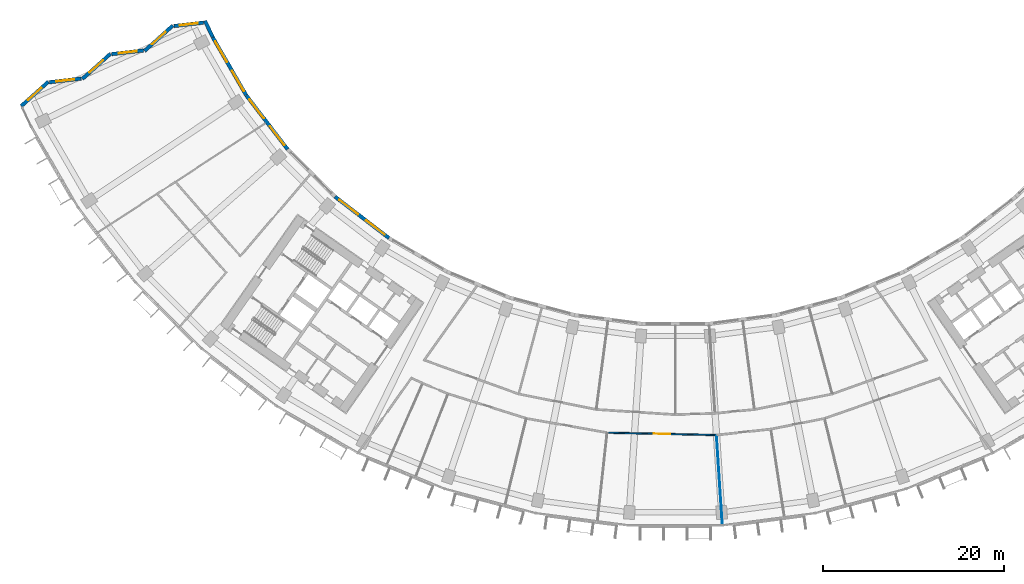
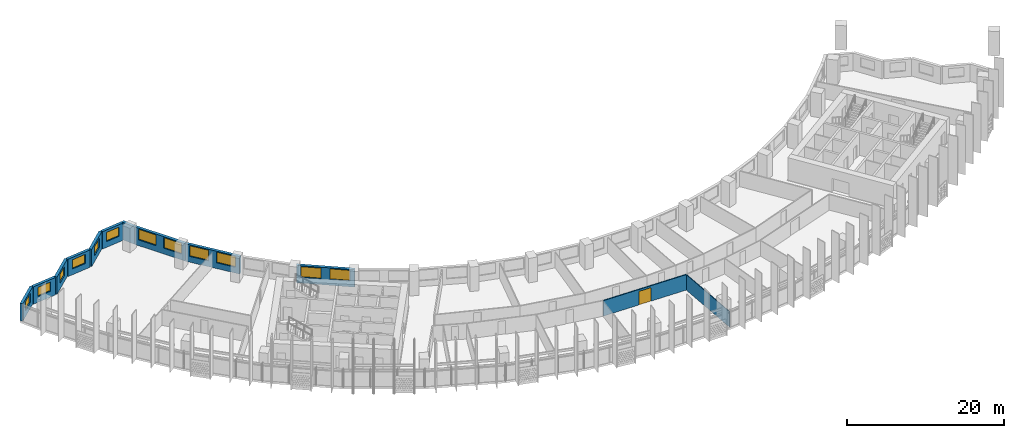
# One storey, part 5 of 30: 12 walls, 12 windows, 1 door, 13 openings.
"""IFC4 building model written with IfcOpenShell, lengths in metres."""

from ifc_helpers import new_model, si_unit, direction, frame, frame_2d, origin, place, context, subcontext, project, spatial, rectangle, extrude, material, layer, layer_set, type_object, element, fill, save


model = new_model("IFC4")

# Units and contexts
model_context = context("Model", 3, precision=1e-05, world=origin(), true_north=direction((0.0, 1.0)))
body_context = subcontext(model_context, "Body", "Model", "MODEL_VIEW")
ifc_project = project(units=[si_unit("LENGTHUNIT", "METRE"), si_unit("AREAUNIT", "SQUARE_METRE"), si_unit("VOLUMEUNIT", "CUBIC_METRE"), si_unit("PLANEANGLEUNIT", "RADIAN"), si_unit("MASSUNIT", "GRAM", prefix="KILO")], contexts=[model_context])

# Site, building, storey
site_placement = place(None, origin())
site = spatial("IfcSite", under=ifc_project, at=site_placement, CompositionType="ELEMENT")
building_placement = place(site_placement, origin())
building = spatial("IfcBuilding", under=site, at=building_placement, Name="Qamariyya Broadcast Tower", CompositionType="ELEMENT")
storey_placement = place(building_placement, frame((0.0, 0.0, 117.699951171875)))
storey = spatial("IfcBuildingStorey", under=building, at=storey_placement, Name="L26", CompositionType="ELEMENT", Elevation=117.699951171875)

# Wall, opening, door
ifc_material_1 = material(Name="Gypsum board partition")
ifc_layer_1 = layer(ifc_material_1, 0.14990234375)
ifc_layer_set_1 = layer_set([ifc_layer_1], Name="Corridor partition 150 EI 60")
wall_type_1 = type_object("IfcWallType", Name="Corridor partition 150 EI 60", PredefinedType="PARTITIONING", material=ifc_layer_set_1)
wall_1_placement = place(storey_placement, frame((4.52587890625, -69.0517578125, 0.0), z_axis=(0.0, 0.0, 1.0), x_axis=(-0.999762313962, 0.02180173346, 0.0)))
wall_1 = element("IfcWall", 1, at=wall_1_placement, inside=storey, type_object=wall_type_1, Name="Partition L26-022", PredefinedType="PARTITIONING", context=body_context, shape_type="SweptSolid", body=[
    extrude(rectangle(XDim=12.060546875, YDim=0.14990234375, at=frame_2d((6.0302734375, 0.0))), origin(), (0.0, 0.0, 1.0), 2.400146484375),
])
opening_1_placement = place(wall_1_placement, frame((5.130126953125, 0.0, 0.0)))
opening_1 = element("IfcOpeningElement", 2, at=opening_1_placement, cuts=wall_1, Name="Opening L26-D05", PredefinedType="OPENING", context=body_context, shape_type="SweptSolid", body=[
    extrude(rectangle(XDim=1.800048828125, YDim=2.10009765625, at=frame_2d((0.89990234375, 1.050048828125))), frame((0.0, 0.0849609375, 0.0), z_axis=(0.0, -1.0, 0.0), x_axis=(1.0, 0.0, 0.0)), (0.0, 0.0, 1.0), 0.169921875),
])
ifc_material_2 = material(Name="Timber fire door leaf", Category="wood")
door_type = type_object("IfcDoorType", Name="Double fire door 1800 x 2100 FD60", OperationType="NOTDEFINED", PredefinedType="DOOR", material=ifc_material_2)
door_placement = place(opening_1_placement, origin())
door = element("IfcDoor", 3, at=door_placement, inside=storey, type_object=door_type, Name="Door L26-D05", OperationType="DOUBLE_DOOR_SINGLE_SWING", OverallHeight=2.10009765625, OverallWidth=1.800048828125, PredefinedType="DOOR", context=body_context, shape_type="SweptSolid", body=[
    extrude(rectangle(XDim=1.800048828125, YDim=2.10009765625, at=frame_2d((0.89990234375, 1.050048828125))), frame((0.0, 0.02490234375, 0.0), z_axis=(0.0, -1.0, 0.0), x_axis=(1.0, 0.0, 0.0)), (0.0, 0.0, 1.0), 0.050048828125),
])
fill(opening_1, door)

# Wall
ifc_layer_2 = layer(ifc_material_1, 0.10009765625)
ifc_layer_set_2 = layer_set([ifc_layer_2], Name="Partition 100")
wall_type_2 = type_object("IfcWallType", Name="Partition 100", PredefinedType="PARTITIONING", material=ifc_layer_set_2)
wall_2_placement = place(storey_placement, frame((5.17333984375, -78.9306640625, 0.0), z_axis=(0.0, 0.0, 1.0), x_axis=(-0.065402415744, 0.997858970003, 0.0)))
element("IfcWall", 4, at=wall_2_placement, inside=storey, type_object=wall_type_2, Name="Partition L26-029", PredefinedType="PARTITIONING", context=body_context, shape_type="SweptSolid", body=[
    extrude(rectangle(XDim=9.824951171875, YDim=0.10009765625, at=frame_2d((4.91259765625, 0.0))), origin(), (0.0, 0.0, 1.0), 2.400146484375),
])

# Wall, opening, window
ifc_material_3 = material(Name="Terracotta", Category="masonry")
ifc_layer_3 = layer(ifc_material_3, 0.39990234375)
ifc_layer_set_3 = layer_set([ifc_layer_3], Name="Terracotta clad wall 400")
wall_type_3 = type_object("IfcWallType", Name="Terracotta clad wall 400", PredefinedType="SOLIDWALL", material=ifc_layer_set_3)
wall_3_placement = place(storey_placement, frame((-52.048095703125, -23.569091796875, 0.0), z_axis=(0.0, 0.0, 1.0), x_axis=(-0.993433070423, -0.114414748132, 0.0)))
wall_3 = element("IfcWall", 5, at=wall_3_placement, inside=storey, type_object=wall_type_3, Name="e-wl-L26-capW0", PredefinedType="SOLIDWALL", context=body_context, shape_type="SweptSolid", body=[
    extrude(rectangle(XDim=3.275390625, YDim=0.39990234375, at=frame_2d((1.6376953125, 0.0))), origin(), (0.0, 0.0, 1.0), 2.699951171875),
])
opening_2_placement = place(wall_3_placement, frame((0.6376953125, 0.0, 0.89990234375)))
opening_2 = element("IfcOpeningElement", 6, at=opening_2_placement, cuts=wall_3, Name="Opening W4", PredefinedType="OPENING", context=body_context, shape_type="SweptSolid", body=[
    extrude(rectangle(XDim=2.0, YDim=1.425048828125, at=frame_2d((1.0, 0.71240234375))), frame((0.0, 0.2099609375, 0.0), z_axis=(0.0, -1.0, 0.0), x_axis=(1.0, 0.0, 0.0)), (0.0, 0.0, 1.0), 0.419921875),
])
ifc_material_4 = material(Name="Clear low-e double glazed unit in aluminium frame", Category="aluminium")
window_type_1 = type_object("IfcWindowType", Name="Horn bay window 2000 x 1425", PartitioningType="SINGLE_PANEL", PredefinedType="WINDOW", material=ifc_material_4)
window_1_placement = place(opening_2_placement, origin())
window_1 = element("IfcWindow", 7, at=window_1_placement, inside=storey, type_object=window_type_1, Name="e-w-L26-capW0", OverallHeight=1.425048828125, OverallWidth=2.0, PartitioningType="SINGLE_PANEL", PredefinedType="WINDOW", context=body_context, shape_type="SweptSolid", body=[
    extrude(rectangle(XDim=2.0, YDim=1.425048828125, at=frame_2d((1.0, 0.71240234375))), frame((0.0, 0.030029296875, 0.0), z_axis=(0.0, -1.0, 0.0), x_axis=(1.0, 0.0, 0.0)), (0.0, 0.0, 1.0), 0.06005859375),
])
fill(opening_2, window_1)

wall_4_placement = place(storey_placement, frame((-55.424072265625, -23.890869140625, 0.0), z_axis=(0.0, 0.0, 1.0), x_axis=(-0.744202221748, -0.667954379539, 0.0)))
wall_4 = element("IfcWall", 8, at=wall_4_placement, inside=storey, type_object=wall_type_3, Name="e-wl-L26-capW1", PredefinedType="SOLIDWALL", context=body_context, shape_type="SweptSolid", body=[
    extrude(rectangle(XDim=4.194580078125, YDim=0.39990234375, at=frame_2d((2.09716796875, 0.0))), origin(), (0.0, 0.0, 1.0), 2.699951171875),
])
opening_3_placement = place(wall_4_placement, frame((1.09716796875, 0.0, 0.89990234375)))
opening_3 = element("IfcOpeningElement", 9, at=opening_3_placement, cuts=wall_4, Name="Opening W4", PredefinedType="OPENING", context=body_context, shape_type="SweptSolid", body=[
    extrude(rectangle(XDim=2.0, YDim=1.425048828125, at=frame_2d((1.0, 0.71240234375))), frame((0.0, 0.2099609375, 0.0), z_axis=(0.0, -1.0, 0.0), x_axis=(1.0, 0.0, 0.0)), (0.0, 0.0, 1.0), 0.419921875),
])
window_2_placement = place(opening_3_placement, origin())
window_2 = element("IfcWindow", 10, at=window_2_placement, inside=storey, type_object=window_type_1, Name="e-w-L26-capW1", OverallHeight=1.425048828125, OverallWidth=2.0, PartitioningType="SINGLE_PANEL", PredefinedType="WINDOW", context=body_context, shape_type="SweptSolid", body=[
    extrude(rectangle(XDim=2.0, YDim=1.425048828125, at=frame_2d((1.0, 0.71240234375))), frame((0.0, 0.030029296875, 0.0), z_axis=(0.0, -1.0, 0.0), x_axis=(1.0, 0.0, 0.0)), (0.0, 0.0, 1.0), 0.06005859375),
])
fill(opening_3, window_2)

wall_5_placement = place(storey_placement, frame((-58.66796875, -26.639892578125, 0.0), z_axis=(0.0, 0.0, 1.0), x_axis=(-0.993423489037, -0.114497910151, 0.0)))
wall_5 = element("IfcWall", 11, at=wall_5_placement, inside=storey, type_object=wall_type_3, Name="e-wl-L26-capW2", PredefinedType="SOLIDWALL", context=body_context, shape_type="SweptSolid", body=[
    extrude(rectangle(XDim=3.524658203125, YDim=0.39990234375, at=frame_2d((1.76220703125, 0.0))), origin(), (0.0, 0.0, 1.0), 2.699951171875),
])
opening_4_placement = place(wall_5_placement, frame((0.762451171875, 0.0, 0.89990234375)))
opening_4 = element("IfcOpeningElement", 12, at=opening_4_placement, cuts=wall_5, Name="Opening W4", PredefinedType="OPENING", context=body_context, shape_type="SweptSolid", body=[
    extrude(rectangle(XDim=2.0, YDim=1.425048828125, at=frame_2d((1.0, 0.71240234375))), frame((0.0, 0.2099609375, 0.0), z_axis=(0.0, -1.0, 0.0), x_axis=(1.0, 0.0, 0.0)), (0.0, 0.0, 1.0), 0.419921875),
])
window_3_placement = place(opening_4_placement, origin())
window_3 = element("IfcWindow", 13, at=window_3_placement, inside=storey, type_object=window_type_1, Name="e-w-L26-capW2", OverallHeight=1.425048828125, OverallWidth=2.0, PartitioningType="SINGLE_PANEL", PredefinedType="WINDOW", context=body_context, shape_type="SweptSolid", body=[
    extrude(rectangle(XDim=2.0, YDim=1.425048828125, at=frame_2d((1.0, 0.71240234375))), frame((0.0, 0.030029296875, 0.0), z_axis=(0.0, -1.0, 0.0), x_axis=(1.0, 0.0, 0.0)), (0.0, 0.0, 1.0), 0.06005859375),
])
fill(opening_4, window_3)

wall_6_placement = place(storey_placement, frame((-62.291748046875, -26.990478515625, 0.0), z_axis=(0.0, 0.0, 1.0), x_axis=(-0.744130218911, -0.668034592894, 0.0)))
wall_6 = element("IfcWall", 14, at=wall_6_placement, inside=storey, type_object=wall_type_3, Name="e-wl-L26-capW3", PredefinedType="SOLIDWALL", context=body_context, shape_type="SweptSolid", body=[
    extrude(rectangle(XDim=4.193359375, YDim=0.39990234375, at=frame_2d((2.0966796875, 0.0))), origin(), (0.0, 0.0, 1.0), 2.699951171875),
])
opening_5_placement = place(wall_6_placement, frame((1.0966796875, 0.0, 0.89990234375)))
opening_5 = element("IfcOpeningElement", 15, at=opening_5_placement, cuts=wall_6, Name="Opening W4", PredefinedType="OPENING", context=body_context, shape_type="SweptSolid", body=[
    extrude(rectangle(XDim=2.0, YDim=1.425048828125, at=frame_2d((1.0, 0.71240234375))), frame((0.0, 0.2099609375, 0.0), z_axis=(0.0, -1.0, 0.0), x_axis=(1.0, 0.0, 0.0)), (0.0, 0.0, 1.0), 0.419921875),
])
window_4_placement = place(opening_5_placement, origin())
window_4 = element("IfcWindow", 16, at=window_4_placement, inside=storey, type_object=window_type_1, Name="e-w-L26-capW3", OverallHeight=1.425048828125, OverallWidth=2.0, PartitioningType="SINGLE_PANEL", PredefinedType="WINDOW", context=body_context, shape_type="SweptSolid", body=[
    extrude(rectangle(XDim=2.0, YDim=1.425048828125, at=frame_2d((1.0, 0.71240234375))), frame((0.0, 0.030029296875, 0.0), z_axis=(0.0, -1.0, 0.0), x_axis=(1.0, 0.0, 0.0)), (0.0, 0.0, 1.0), 0.06005859375),
])
fill(opening_5, window_4)

wall_7_placement = place(storey_placement, frame((-65.5341796875, -29.73876953125, 0.0), z_axis=(0.0, 0.0, 1.0), x_axis=(-0.993412271187, -0.114595198217, 0.0)))
wall_7 = element("IfcWall", 17, at=wall_7_placement, inside=storey, type_object=wall_type_3, Name="e-wl-L26-capW4", PredefinedType="SOLIDWALL", context=body_context, shape_type="SweptSolid", body=[
    extrude(rectangle(XDim=3.52587890625, YDim=0.39990234375, at=frame_2d((1.762939453125, 0.0))), origin(), (0.0, 0.0, 1.0), 2.699951171875),
])
opening_6_placement = place(wall_7_placement, frame((0.762939453125, 0.0, 0.89990234375)))
opening_6 = element("IfcOpeningElement", 18, at=opening_6_placement, cuts=wall_7, Name="Opening W4", PredefinedType="OPENING", context=body_context, shape_type="SweptSolid", body=[
    extrude(rectangle(XDim=2.0, YDim=1.425048828125, at=frame_2d((1.0, 0.71240234375))), frame((0.0, 0.2099609375, 0.0), z_axis=(0.0, -1.0, 0.0), x_axis=(1.0, 0.0, 0.0)), (0.0, 0.0, 1.0), 0.419921875),
])
window_5_placement = place(opening_6_placement, origin())
window_5 = element("IfcWindow", 19, at=window_5_placement, inside=storey, type_object=window_type_1, Name="e-w-L26-capW4", OverallHeight=1.425048828125, OverallWidth=2.0, PartitioningType="SINGLE_PANEL", PredefinedType="WINDOW", context=body_context, shape_type="SweptSolid", body=[
    extrude(rectangle(XDim=2.0, YDim=1.425048828125, at=frame_2d((1.0, 0.71240234375))), frame((0.0, 0.030029296875, 0.0), z_axis=(0.0, -1.0, 0.0), x_axis=(1.0, 0.0, 0.0)), (0.0, 0.0, 1.0), 0.06005859375),
])
fill(opening_6, window_5)

wall_8_placement = place(storey_placement, frame((-69.158935546875, -30.090087890625, 0.0), z_axis=(0.0, 0.0, 1.0), x_axis=(-0.744101163547, -0.66806695653, 0.0)))
wall_8 = element("IfcWall", 20, at=wall_8_placement, inside=storey, type_object=wall_type_3, Name="e-wl-L26-capW5", PredefinedType="SOLIDWALL", context=body_context, shape_type="SweptSolid", body=[
    extrude(rectangle(XDim=4.013671875, YDim=0.39990234375, at=frame_2d((2.0068359375, 0.0))), origin(), (0.0, 0.0, 1.0), 2.699951171875),
])
opening_7_placement = place(wall_8_placement, frame((1.0068359375, 0.0, 0.89990234375)))
opening_7 = element("IfcOpeningElement", 21, at=opening_7_placement, cuts=wall_8, Name="Opening W4", PredefinedType="OPENING", context=body_context, shape_type="SweptSolid", body=[
    extrude(rectangle(XDim=2.0, YDim=1.425048828125, at=frame_2d((1.0, 0.71240234375))), frame((0.0, 0.2099609375, 0.0), z_axis=(0.0, -1.0, 0.0), x_axis=(1.0, 0.0, 0.0)), (0.0, 0.0, 1.0), 0.419921875),
])
window_6_placement = place(opening_7_placement, origin())
window_6 = element("IfcWindow", 22, at=window_6_placement, inside=storey, type_object=window_type_1, Name="e-w-L26-capW5", OverallHeight=1.425048828125, OverallWidth=2.0, PartitioningType="SINGLE_PANEL", PredefinedType="WINDOW", context=body_context, shape_type="SweptSolid", body=[
    extrude(rectangle(XDim=2.0, YDim=1.425048828125, at=frame_2d((1.0, 0.71240234375))), frame((0.0, 0.030029296875, 0.0), z_axis=(0.0, -1.0, 0.0), x_axis=(1.0, 0.0, 0.0)), (0.0, 0.0, 1.0), 0.06005859375),
])
fill(opening_7, window_6)

# Wall
wall_9_placement = place(storey_placement, frame((-51.023681640625, -25.18408203125, 0.0), z_axis=(0.0, 0.0, 1.0), x_axis=(-0.426862665896, 0.904316462564, 0.0)))
element("IfcWall", 23, at=wall_9_placement, inside=storey, type_object=wall_type_3, Name="e-wl-L26-in00", PredefinedType="SOLIDWALL", context=body_context, shape_type="SweptSolid", body=[
    extrude(rectangle(XDim=2.007568359375, YDim=0.39990234375, at=frame_2d((1.00390625, 0.0))), origin(), (0.0, 0.0, 1.0), 2.699951171875),
])

# Wall, openings, windows
wall_10_placement = place(storey_placement, frame((-47.33642578125, -31.568359375, 0.0), z_axis=(0.0, 0.0, 1.0), x_axis=(-0.499990592807, 0.866030834962, 0.0)))
wall_10 = element("IfcWall", 24, at=wall_10_placement, inside=storey, type_object=wall_type_3, Name="e-wl-L26-in10", PredefinedType="SOLIDWALL", context=body_context, shape_type="SweptSolid", body=[
    extrude(rectangle(XDim=7.356201171875, YDim=0.39990234375, at=frame_2d((3.67822265625, 0.0))), origin(), (0.0, 0.0, 1.0), 2.699951171875),
])
opening_8_placement = place(wall_10_placement, frame((4.224853515625, 0.0, 0.89990234375)))
opening_8 = element("IfcOpeningElement", 25, at=opening_8_placement, cuts=wall_10, Name="Opening W1", PredefinedType="OPENING", context=body_context, shape_type="SweptSolid", body=[
    extrude(rectangle(XDim=2.60009765625, YDim=1.64990234375, at=frame_2d((1.300048828125, 0.824951171875))), frame((0.0, 0.2099609375, 0.0), z_axis=(0.0, -1.0, 0.0), x_axis=(1.0, 0.0, 0.0)), (0.0, 0.0, 1.0), 0.419921875),
])
opening_9_placement = place(wall_10_placement, frame((0.5166015625, 0.0, 0.89990234375)))
opening_9 = element("IfcOpeningElement", 26, at=opening_9_placement, cuts=wall_10, Name="Opening W1", PredefinedType="OPENING", context=body_context, shape_type="SweptSolid", body=[
    extrude(rectangle(XDim=2.60009765625, YDim=1.64990234375, at=frame_2d((1.300048828125, 0.824951171875))), frame((0.0, 0.2099609375, 0.0), z_axis=(0.0, -1.0, 0.0), x_axis=(1.0, 0.0, 0.0)), (0.0, 0.0, 1.0), 0.419921875),
])
window_type_2 = type_object("IfcWindowType", Name="Ribbon window 2600 x 1650", PartitioningType="SINGLE_PANEL", PredefinedType="WINDOW", material=ifc_material_4)
window_7_placement = place(opening_8_placement, origin())
window_7 = element("IfcWindow", 27, at=window_7_placement, inside=storey, type_object=window_type_2, Name="e-w-L26-in01-0", OverallHeight=1.64990234375, OverallWidth=2.60009765625, PartitioningType="SINGLE_PANEL", PredefinedType="WINDOW", context=body_context, shape_type="SweptSolid", body=[
    extrude(rectangle(XDim=2.60009765625, YDim=1.64990234375, at=frame_2d((1.300048828125, 0.824951171875))), frame((0.0, 0.030029296875, 0.0), z_axis=(0.0, -1.0, 0.0), x_axis=(1.0, 0.0, 0.0)), (0.0, 0.0, 1.0), 0.06005859375),
])
fill(opening_8, window_7)
window_8_placement = place(opening_9_placement, origin())
window_8 = element("IfcWindow", 28, at=window_8_placement, inside=storey, type_object=window_type_2, Name="e-w-L26-in01-1", OverallHeight=1.64990234375, OverallWidth=2.60009765625, PartitioningType="SINGLE_PANEL", PredefinedType="WINDOW", context=body_context, shape_type="SweptSolid", body=[
    extrude(rectangle(XDim=2.60009765625, YDim=1.64990234375, at=frame_2d((1.300048828125, 0.824951171875))), frame((0.0, 0.030029296875, 0.0), z_axis=(0.0, -1.0, 0.0), x_axis=(1.0, 0.0, 0.0)), (0.0, 0.0, 1.0), 0.06005859375),
])
fill(opening_9, window_8)

wall_11_placement = place(storey_placement, frame((-42.764892578125, -37.536865234375, 0.0), z_axis=(0.0, 0.0, 1.0), x_axis=(-0.608748204711, 0.793363487476, 0.0)))
wall_11 = element("IfcWall", 29, at=wall_11_placement, inside=storey, type_object=wall_type_3, Name="e-wl-L26-in20", PredefinedType="SOLIDWALL", context=body_context, shape_type="SweptSolid", body=[
    extrude(rectangle(XDim=7.492919921875, YDim=0.39990234375, at=frame_2d((3.74658203125, 0.0))), origin(), (0.0, 0.0, 1.0), 2.699951171875),
])
opening_10_placement = place(wall_11_placement, frame((4.300537109375, 0.0, 0.89990234375)))
opening_10 = element("IfcOpeningElement", 30, at=opening_10_placement, cuts=wall_11, Name="Opening W1", PredefinedType="OPENING", context=body_context, shape_type="SweptSolid", body=[
    extrude(rectangle(XDim=2.60009765625, YDim=1.64990234375, at=frame_2d((1.300048828125, 0.824951171875))), frame((0.0, 0.2099609375, 0.0), z_axis=(0.0, -1.0, 0.0), x_axis=(1.0, 0.0, 0.0)), (0.0, 0.0, 1.0), 0.419921875),
])
opening_11_placement = place(wall_11_placement, frame((0.59228515625, 0.0, 0.89990234375)))
opening_11 = element("IfcOpeningElement", 31, at=opening_11_placement, cuts=wall_11, Name="Opening W1", PredefinedType="OPENING", context=body_context, shape_type="SweptSolid", body=[
    extrude(rectangle(XDim=2.60009765625, YDim=1.64990234375, at=frame_2d((1.300048828125, 0.824951171875))), frame((0.0, 0.2099609375, 0.0), z_axis=(0.0, -1.0, 0.0), x_axis=(1.0, 0.0, 0.0)), (0.0, 0.0, 1.0), 0.419921875),
])
window_9_placement = place(opening_10_placement, origin())
window_9 = element("IfcWindow", 32, at=window_9_placement, inside=storey, type_object=window_type_2, Name="e-w-L26-in02-0", OverallHeight=1.64990234375, OverallWidth=2.60009765625, PartitioningType="SINGLE_PANEL", PredefinedType="WINDOW", context=body_context, shape_type="SweptSolid", body=[
    extrude(rectangle(XDim=2.60009765625, YDim=1.64990234375, at=frame_2d((1.300048828125, 0.824951171875))), frame((0.0, 0.030029296875, 0.0), z_axis=(0.0, -1.0, 0.0), x_axis=(1.0, 0.0, 0.0)), (0.0, 0.0, 1.0), 0.06005859375),
])
fill(opening_10, window_9)
window_10_placement = place(opening_11_placement, origin())
window_10 = element("IfcWindow", 33, at=window_10_placement, inside=storey, type_object=window_type_2, Name="e-w-L26-in02-1", OverallHeight=1.64990234375, OverallWidth=2.60009765625, PartitioningType="SINGLE_PANEL", PredefinedType="WINDOW", context=body_context, shape_type="SweptSolid", body=[
    extrude(rectangle(XDim=2.60009765625, YDim=1.64990234375, at=frame_2d((1.300048828125, 0.824951171875))), frame((0.0, 0.030029296875, 0.0), z_axis=(0.0, -1.0, 0.0), x_axis=(1.0, 0.0, 0.0)), (0.0, 0.0, 1.0), 0.06005859375),
])
fill(opening_11, window_10)

wall_12_placement = place(storey_placement, frame((-31.59228515625, -47.326171875, 0.0), z_axis=(0.0, 0.0, 1.0), x_axis=(-0.793363487476, 0.608748204711, 0.0)))
wall_12 = element("IfcWall", 34, at=wall_12_placement, inside=storey, type_object=wall_type_3, Name="e-wl-L26-in40", PredefinedType="SOLIDWALL", context=body_context, shape_type="SweptSolid", body=[
    extrude(rectangle(XDim=7.492919921875, YDim=0.39990234375, at=frame_2d((3.74658203125, 0.0))), origin(), (0.0, 0.0, 1.0), 2.699951171875),
])
opening_12_placement = place(wall_12_placement, frame((4.300537109375, 0.0, 0.89990234375)))
opening_12 = element("IfcOpeningElement", 35, at=opening_12_placement, cuts=wall_12, Name="Opening W1", PredefinedType="OPENING", context=body_context, shape_type="SweptSolid", body=[
    extrude(rectangle(XDim=2.60009765625, YDim=1.64990234375, at=frame_2d((1.300048828125, 0.824951171875))), frame((0.0, 0.2099609375, 0.0), z_axis=(0.0, -1.0, 0.0), x_axis=(1.0, 0.0, 0.0)), (0.0, 0.0, 1.0), 0.419921875),
])
opening_13_placement = place(wall_12_placement, frame((0.59228515625, 0.0, 0.89990234375)))
opening_13 = element("IfcOpeningElement", 36, at=opening_13_placement, cuts=wall_12, Name="Opening W1", PredefinedType="OPENING", context=body_context, shape_type="SweptSolid", body=[
    extrude(rectangle(XDim=2.60009765625, YDim=1.64990234375, at=frame_2d((1.300048828125, 0.824951171875))), frame((0.0, 0.2099609375, 0.0), z_axis=(0.0, -1.0, 0.0), x_axis=(1.0, 0.0, 0.0)), (0.0, 0.0, 1.0), 0.419921875),
])
window_11_placement = place(opening_12_placement, origin())
window_11 = element("IfcWindow", 37, at=window_11_placement, inside=storey, type_object=window_type_2, Name="e-w-L26-in04-0", OverallHeight=1.64990234375, OverallWidth=2.60009765625, PartitioningType="SINGLE_PANEL", PredefinedType="WINDOW", context=body_context, shape_type="SweptSolid", body=[
    extrude(rectangle(XDim=2.60009765625, YDim=1.64990234375, at=frame_2d((1.300048828125, 0.824951171875))), frame((0.0, 0.030029296875, 0.0), z_axis=(0.0, -1.0, 0.0), x_axis=(1.0, 0.0, 0.0)), (0.0, 0.0, 1.0), 0.06005859375),
])
fill(opening_12, window_11)
window_12_placement = place(opening_13_placement, origin())
window_12 = element("IfcWindow", 38, at=window_12_placement, inside=storey, type_object=window_type_2, Name="e-w-L26-in04-1", OverallHeight=1.64990234375, OverallWidth=2.60009765625, PartitioningType="SINGLE_PANEL", PredefinedType="WINDOW", context=body_context, shape_type="SweptSolid", body=[
    extrude(rectangle(XDim=2.60009765625, YDim=1.64990234375, at=frame_2d((1.300048828125, 0.824951171875))), frame((0.0, 0.030029296875, 0.0), z_axis=(0.0, -1.0, 0.0), x_axis=(1.0, 0.0, 0.0)), (0.0, 0.0, 1.0), 0.06005859375),
])
fill(opening_13, window_12)

save(model, "model.ifc")
